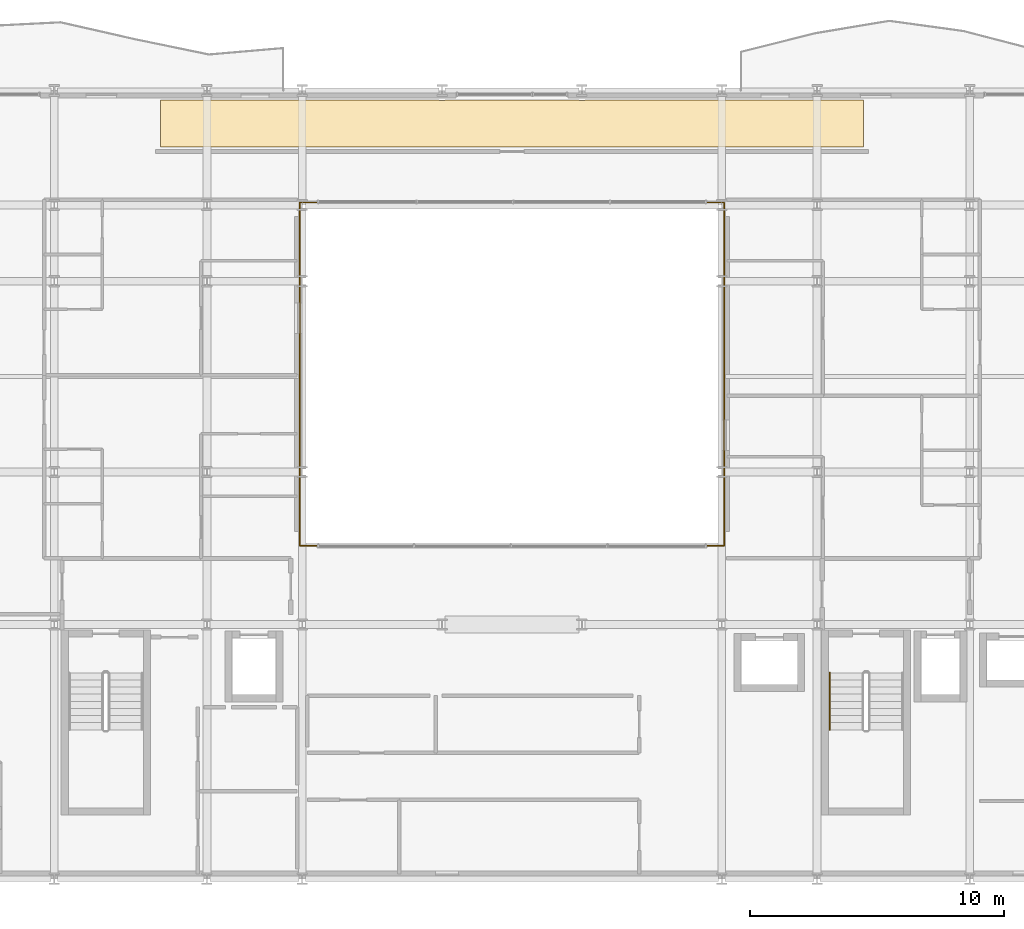
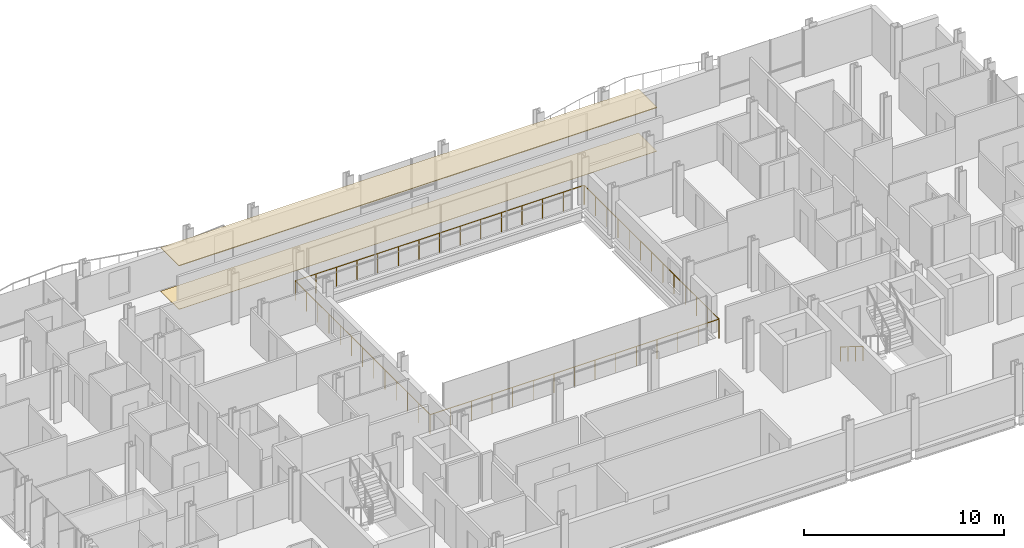
# One storey, part 37 of 39: 3 railings, 2 coverings.
"""IFC4 building model written with IfcOpenShell, lengths in metres."""

from ifc_helpers import new_model, si_unit, direction, frame, origin, origin_2d, place, context, subcontext, project, spatial, polyline, circle, outline, extrude, material, layer, layer_set, type_object, element, save


model = new_model("IFC4")

# Units and contexts
model_context = context("Model", 3, precision=1e-05, world=origin(), true_north=direction((0.0, 1.0)))
body_context = subcontext(model_context, "Body", "Model", "MODEL_VIEW")
ifc_project = project(units=[si_unit("LENGTHUNIT", "METRE"), si_unit("AREAUNIT", "SQUARE_METRE"), si_unit("VOLUMEUNIT", "CUBIC_METRE"), si_unit("PLANEANGLEUNIT", "RADIAN"), si_unit("MASSUNIT", "GRAM", prefix="KILO")], contexts=[model_context])

# Site, building, storey
site_placement = place(None, origin())
site = spatial("IfcSite", under=ifc_project, at=site_placement, CompositionType="ELEMENT")
building_placement = place(site_placement, origin())
building = spatial("IfcBuilding", under=site, at=building_placement, Name="Brevholm Reach", CompositionType="ELEMENT")
storey_placement = place(building_placement, frame((0.0, 0.0, 90.0)))
storey = spatial("IfcBuildingStorey", under=building, at=storey_placement, Name="L26", CompositionType="ELEMENT", Elevation=90.0)

# Coverings
ifc_material_1 = material(Name="Perforated Mineral-Fibre Class-A Acoustic Suspended Ceiling", Category="gypsum")
ifc_layer_1 = layer(ifc_material_1, 0.044921875)
ifc_layer_set_1 = layer_set([ifc_layer_1], Name="Perforated Mineral-Fibre Class-A Acoustic Suspended Ceiling")
covering_type_1 = type_object("IfcCoveringType", Name="COV-CLG-AC", PredefinedType="CEILING", material=ifc_layer_set_1)
covering_1_placement = place(storey_placement, frame((0.0, 0.0, 2.655029296875)))
element("IfcCovering", 1, at=covering_1_placement, inside=storey, type_object=covering_type_1, Name="L26 Suspended Ceiling L26-79", PredefinedType="CEILING", context=body_context, shape_type="SweptSolid", body=[
    extrude(outline(polyline([(16.179931640625, 30.6201171875), (17.876220703125, 30.6201171875), (17.8837890625, 30.6171875), (17.922119140625, 30.607666015625), (17.960693359375, 30.601806640625), (18.0, 30.60009765625), (18.039306640625, 30.601806640625), (18.077880859375, 30.607666015625), (18.1162109375, 30.6171875), (18.123779296875, 30.6201171875), (21.626220703125, 30.6201171875), (21.6337890625, 30.6171875), (21.672119140625, 30.607666015625), (21.710693359375, 30.601806640625), (21.75, 30.60009765625), (21.789306640625, 30.601806640625), (21.827880859375, 30.607666015625), (21.8662109375, 30.6171875), (21.873779296875, 30.6201171875), (27.126220703125, 30.6201171875), (27.1337890625, 30.6171875), (27.172119140625, 30.607666015625), (27.210693359375, 30.601806640625), (27.25, 30.60009765625), (27.289306640625, 30.601806640625), (27.327880859375, 30.607666015625), (27.3662109375, 30.6171875), (27.373779296875, 30.6201171875), (32.626220703125, 30.6201171875), (32.6337890625, 30.6171875), (32.672119140625, 30.607666015625), (32.710693359375, 30.601806640625), (32.75, 30.60009765625), (32.789306640625, 30.601806640625), (32.827880859375, 30.607666015625), (32.8662109375, 30.6171875), (32.873779296875, 30.6201171875), (38.126220703125, 30.6201171875), (38.1337890625, 30.6171875), (38.172119140625, 30.607666015625), (38.210693359375, 30.601806640625), (38.25, 30.60009765625), (38.289306640625, 30.601806640625), (38.327880859375, 30.607666015625), (38.3662109375, 30.6171875), (38.373779296875, 30.6201171875), (41.876220703125, 30.6201171875), (41.8837890625, 30.6171875), (41.922119140625, 30.607666015625), (41.960693359375, 30.601806640625), (42.0, 30.60009765625), (42.039306640625, 30.601806640625), (42.077880859375, 30.607666015625), (42.1162109375, 30.6171875), (42.123779296875, 30.6201171875), (43.820068359375, 30.6201171875), (43.820068359375, 28.783935546875), (16.179931640625, 28.783935546875), (16.179931640625, 30.6201171875)])), origin(), (0.0, 0.0, 1.0), 0.044921875),
])
ifc_material_2 = material(Name="Engineered European Oak Acoustic Plank Flooring", Category="timber")
ifc_layer_2 = layer(ifc_material_2, 0.02197265625)
ifc_layer_set_2 = layer_set([ifc_layer_2], Name="Engineered European Oak Acoustic Plank Flooring")
covering_type_2 = type_object("IfcCoveringType", Name="COV-FLR-OAK", PredefinedType="FLOORING", material=ifc_layer_set_2)
covering_2_placement = place(storey_placement, origin())
element("IfcCovering", 2, at=covering_2_placement, inside=storey, type_object=covering_type_2, Name="L26 Floor Finish L26-79", PredefinedType="FLOORING", context=body_context, shape_type="SweptSolid", body=[
    extrude(outline(polyline([(16.179931640625, 30.6201171875), (17.876220703125, 30.6201171875), (17.8837890625, 30.6171875), (17.922119140625, 30.607666015625), (17.960693359375, 30.601806640625), (18.0, 30.60009765625), (18.039306640625, 30.601806640625), (18.077880859375, 30.607666015625), (18.1162109375, 30.6171875), (18.123779296875, 30.6201171875), (21.626220703125, 30.6201171875), (21.6337890625, 30.6171875), (21.672119140625, 30.607666015625), (21.710693359375, 30.601806640625), (21.75, 30.60009765625), (21.789306640625, 30.601806640625), (21.827880859375, 30.607666015625), (21.8662109375, 30.6171875), (21.873779296875, 30.6201171875), (27.126220703125, 30.6201171875), (27.1337890625, 30.6171875), (27.172119140625, 30.607666015625), (27.210693359375, 30.601806640625), (27.25, 30.60009765625), (27.289306640625, 30.601806640625), (27.327880859375, 30.607666015625), (27.3662109375, 30.6171875), (27.373779296875, 30.6201171875), (32.626220703125, 30.6201171875), (32.6337890625, 30.6171875), (32.672119140625, 30.607666015625), (32.710693359375, 30.601806640625), (32.75, 30.60009765625), (32.789306640625, 30.601806640625), (32.827880859375, 30.607666015625), (32.8662109375, 30.6171875), (32.873779296875, 30.6201171875), (38.126220703125, 30.6201171875), (38.1337890625, 30.6171875), (38.172119140625, 30.607666015625), (38.210693359375, 30.601806640625), (38.25, 30.60009765625), (38.289306640625, 30.601806640625), (38.327880859375, 30.607666015625), (38.3662109375, 30.6171875), (38.373779296875, 30.6201171875), (41.876220703125, 30.6201171875), (41.8837890625, 30.6171875), (41.922119140625, 30.607666015625), (41.960693359375, 30.601806640625), (42.0, 30.60009765625), (42.039306640625, 30.601806640625), (42.077880859375, 30.607666015625), (42.1162109375, 30.6171875), (42.123779296875, 30.6201171875), (43.820068359375, 30.6201171875), (43.820068359375, 28.783935546875), (16.179931640625, 28.783935546875), (16.179931640625, 30.6201171875)])), origin(), (0.0, 0.0, 1.0), 0.02197265625),
])

# Railings
ifc_material_3 = material(Name="Brushed Stainless Steel EN 1.4401 Continuous Handrail", Category="steel")
railing_type_1 = type_object("IfcRailingType", Name="RAL-HND-950", PredefinedType="HANDRAIL", material=ifc_material_3)
railing_1_placement = place(storey_placement, frame((42.5, 8.10009765625, 0.172119140625)))
element("IfcRailing", 3, at=railing_1_placement, inside=storey, type_object=railing_type_1, Name="L26 ST-2 stair handrail 1", PredefinedType="HANDRAIL", context=body_context, shape_type="SweptSolid", body=[
    extrude(circle(Radius=0.02392578125, at=origin_2d()), frame((0.0, 0.0, 0.8857421875), z_axis=(0.0, -0.851747552033, 0.523952390591), x_axis=(1.0, 0.0, 0.0)), (0.0, 0.0, 1.0), 2.6298828125),
    extrude(circle(Radius=0.02099609375, at=origin_2d()), origin(), (0.0, 0.0, 1.0), 0.86181640625),
    extrude(circle(Radius=0.02099609375, at=origin_2d()), frame((0.0, -0.74658203125, 0.459228515625)), (0.0, 0.0, 1.0), 0.86181640625),
    extrude(circle(Radius=0.02099609375, at=origin_2d()), frame((0.0, -1.493408203125, 0.918701171875)), (0.0, 0.0, 1.0), 0.86181640625),
    extrude(circle(Radius=0.02099609375, at=origin_2d()), frame((0.0, -2.239990234375, 1.3779296875)), (0.0, 0.0, 1.0), 0.86181640625),
])
ifc_material_4 = material(Name="Brushed Stainless Steel EN 1.4401 and Laminated Glass", Category="steel")
railing_type_2 = type_object("IfcRailingType", Name="RAL-TERR-1200", PredefinedType="BALUSTRADE", material=ifc_material_4)
railing_2_placement = place(storey_placement, frame((21.64990234375, 13.10009765625, 0.0)))
element("IfcRailing", 4, at=railing_2_placement, inside=storey, type_object=railing_type_2, Name="L26 Guard Balustrade RAL-L26-AT-VOID-SW", PredefinedType="BALUSTRADE", context=body_context, shape_type="SweptSolid", body=[
    extrude(circle(Radius=0.02392578125, at=origin_2d()), frame((0.0, 0.0, 1.17578125), z_axis=(1.0, 0.0, 0.0), x_axis=(0.0, 1.0, 0.0)), (0.0, 0.0, 1.0), 16.7001953125),
    extrude(circle(Radius=0.02392578125, at=origin_2d()), frame((16.7001953125, 0.0, 1.17578125), z_axis=(0.0, 1.0, 0.0), x_axis=(-1.0, 0.0, 0.0)), (0.0, 0.0, 1.0), 13.47998046875),
    extrude(circle(Radius=0.02099609375, at=origin_2d()), origin(), (0.0, 0.0, 1.0), 1.15185546875),
    extrude(circle(Radius=0.02099609375, at=origin_2d()), frame((1.19287109375, 0.0, 0.0)), (0.0, 0.0, 1.0), 1.15185546875),
    extrude(circle(Radius=0.02099609375, at=origin_2d()), frame((2.3857421875, 0.0, 0.0)), (0.0, 0.0, 1.0), 1.15185546875),
    extrude(circle(Radius=0.02099609375, at=origin_2d()), frame((3.57861328125, 0.0, 0.0)), (0.0, 0.0, 1.0), 1.15185546875),
    extrude(circle(Radius=0.02099609375, at=origin_2d()), frame((4.771484375, 0.0, 0.0)), (0.0, 0.0, 1.0), 1.15185546875),
    extrude(circle(Radius=0.02099609375, at=origin_2d()), frame((5.96435546875, 0.0, 0.0)), (0.0, 0.0, 1.0), 1.15185546875),
    extrude(circle(Radius=0.02099609375, at=origin_2d()), frame((7.1572265625, 0.0, 0.0)), (0.0, 0.0, 1.0), 1.15185546875),
    extrude(circle(Radius=0.02099609375, at=origin_2d()), frame((8.35009765625, 0.0, 0.0)), (0.0, 0.0, 1.0), 1.15185546875),
    extrude(circle(Radius=0.02099609375, at=origin_2d()), frame((9.54296875, 0.0, 0.0)), (0.0, 0.0, 1.0), 1.15185546875),
    extrude(circle(Radius=0.02099609375, at=origin_2d()), frame((10.73583984375, 0.0, 0.0)), (0.0, 0.0, 1.0), 1.15185546875),
    extrude(circle(Radius=0.02099609375, at=origin_2d()), frame((11.9287109375, 0.0, 0.0)), (0.0, 0.0, 1.0), 1.15185546875),
    extrude(circle(Radius=0.02099609375, at=origin_2d()), frame((13.12158203125, 0.0, 0.0)), (0.0, 0.0, 1.0), 1.15185546875),
    extrude(circle(Radius=0.02099609375, at=origin_2d()), frame((14.314453125, 0.0, 0.0)), (0.0, 0.0, 1.0), 1.15185546875),
    extrude(circle(Radius=0.02099609375, at=origin_2d()), frame((15.50732421875, 0.0, 0.0)), (0.0, 0.0, 1.0), 1.15185546875),
    extrude(circle(Radius=0.02099609375, at=origin_2d()), frame((16.7001953125, 0.0, 0.0)), (0.0, 0.0, 1.0), 1.15185546875),
    extrude(circle(Radius=0.02099609375, at=origin_2d()), frame((16.7001953125, 1.123291015625, 0.0)), (0.0, 0.0, 1.0), 1.15185546875),
    extrude(circle(Radius=0.02099609375, at=origin_2d()), frame((16.7001953125, 2.24658203125, 0.0)), (0.0, 0.0, 1.0), 1.15185546875),
    extrude(circle(Radius=0.02099609375, at=origin_2d()), frame((16.7001953125, 3.3701171875, 0.0)), (0.0, 0.0, 1.0), 1.15185546875),
    extrude(circle(Radius=0.02099609375, at=origin_2d()), frame((16.7001953125, 4.493408203125, 0.0)), (0.0, 0.0, 1.0), 1.15185546875),
    extrude(circle(Radius=0.02099609375, at=origin_2d()), frame((16.7001953125, 5.61669921875, 0.0)), (0.0, 0.0, 1.0), 1.15185546875),
    extrude(circle(Radius=0.02099609375, at=origin_2d()), frame((16.7001953125, 6.739990234375, 0.0)), (0.0, 0.0, 1.0), 1.15185546875),
    extrude(circle(Radius=0.02099609375, at=origin_2d()), frame((16.7001953125, 7.86328125, 0.0)), (0.0, 0.0, 1.0), 1.15185546875),
    extrude(circle(Radius=0.02099609375, at=origin_2d()), frame((16.7001953125, 8.986572265625, 0.0)), (0.0, 0.0, 1.0), 1.15185546875),
    extrude(circle(Radius=0.02099609375, at=origin_2d()), frame((16.7001953125, 10.10986328125, 0.0)), (0.0, 0.0, 1.0), 1.15185546875),
    extrude(circle(Radius=0.02099609375, at=origin_2d()), frame((16.7001953125, 11.2333984375, 0.0)), (0.0, 0.0, 1.0), 1.15185546875),
    extrude(circle(Radius=0.02099609375, at=origin_2d()), frame((16.7001953125, 12.356689453125, 0.0)), (0.0, 0.0, 1.0), 1.15185546875),
    extrude(circle(Radius=0.02099609375, at=origin_2d()), frame((16.7001953125, 13.47998046875, 0.0)), (0.0, 0.0, 1.0), 1.15185546875),
])
railing_3_placement = place(storey_placement, frame((38.330078125, 26.60009765625, 0.0)))
element("IfcRailing", 5, at=railing_3_placement, inside=storey, type_object=railing_type_2, Name="L26 Guard Balustrade RAL-L26-AT-VOID-NE", PredefinedType="BALUSTRADE", context=body_context, shape_type="SweptSolid", body=[
    extrude(circle(Radius=0.02392578125, at=origin_2d()), frame((0.0, 0.0, 1.17578125), z_axis=(-1.0, 0.0, 0.0), x_axis=(0.0, -1.0, 0.0)), (0.0, 0.0, 1.0), 16.68017578125),
    extrude(circle(Radius=0.02392578125, at=origin_2d()), frame((-16.68017578125, 0.0, 1.17578125), z_axis=(0.0, -1.0, 0.0), x_axis=(1.0, 0.0, 0.0)), (0.0, 0.0, 1.0), 13.47998046875),
    extrude(circle(Radius=0.02099609375, at=origin_2d()), origin(), (0.0, 0.0, 1.0), 1.15185546875),
    extrude(circle(Radius=0.02099609375, at=origin_2d()), frame((-1.19140625, 0.0, 0.0)), (0.0, 0.0, 1.0), 1.15185546875),
    extrude(circle(Radius=0.02099609375, at=origin_2d()), frame((-2.3828125, 0.0, 0.0)), (0.0, 0.0, 1.0), 1.15185546875),
    extrude(circle(Radius=0.02099609375, at=origin_2d()), frame((-3.57421875, 0.0, 0.0)), (0.0, 0.0, 1.0), 1.15185546875),
    extrude(circle(Radius=0.02099609375, at=origin_2d()), frame((-4.765869140625, 0.0, 0.0)), (0.0, 0.0, 1.0), 1.15185546875),
    extrude(circle(Radius=0.02099609375, at=origin_2d()), frame((-5.957275390625, 0.0, 0.0)), (0.0, 0.0, 1.0), 1.15185546875),
    extrude(circle(Radius=0.02099609375, at=origin_2d()), frame((-7.148681640625, 0.0, 0.0)), (0.0, 0.0, 1.0), 1.15185546875),
    extrude(circle(Radius=0.02099609375, at=origin_2d()), frame((-8.340087890625, 0.0, 0.0)), (0.0, 0.0, 1.0), 1.15185546875),
    extrude(circle(Radius=0.02099609375, at=origin_2d()), frame((-9.531494140625, 0.0, 0.0)), (0.0, 0.0, 1.0), 1.15185546875),
    extrude(circle(Radius=0.02099609375, at=origin_2d()), frame((-10.722900390625, 0.0, 0.0)), (0.0, 0.0, 1.0), 1.15185546875),
    extrude(circle(Radius=0.02099609375, at=origin_2d()), frame((-11.914306640625, 0.0, 0.0)), (0.0, 0.0, 1.0), 1.15185546875),
    extrude(circle(Radius=0.02099609375, at=origin_2d()), frame((-13.10595703125, 0.0, 0.0)), (0.0, 0.0, 1.0), 1.15185546875),
    extrude(circle(Radius=0.02099609375, at=origin_2d()), frame((-14.29736328125, 0.0, 0.0)), (0.0, 0.0, 1.0), 1.15185546875),
    extrude(circle(Radius=0.02099609375, at=origin_2d()), frame((-15.48876953125, 0.0, 0.0)), (0.0, 0.0, 1.0), 1.15185546875),
    extrude(circle(Radius=0.02099609375, at=origin_2d()), frame((-16.68017578125, 0.0, 0.0)), (0.0, 0.0, 1.0), 1.15185546875),
    extrude(circle(Radius=0.02099609375, at=origin_2d()), frame((-16.68017578125, -1.123291015625, 0.0)), (0.0, 0.0, 1.0), 1.15185546875),
    extrude(circle(Radius=0.02099609375, at=origin_2d()), frame((-16.68017578125, -2.24658203125, 0.0)), (0.0, 0.0, 1.0), 1.15185546875),
    extrude(circle(Radius=0.02099609375, at=origin_2d()), frame((-16.68017578125, -3.3701171875, 0.0)), (0.0, 0.0, 1.0), 1.15185546875),
    extrude(circle(Radius=0.02099609375, at=origin_2d()), frame((-16.68017578125, -4.493408203125, 0.0)), (0.0, 0.0, 1.0), 1.15185546875),
    extrude(circle(Radius=0.02099609375, at=origin_2d()), frame((-16.68017578125, -5.61669921875, 0.0)), (0.0, 0.0, 1.0), 1.15185546875),
    extrude(circle(Radius=0.02099609375, at=origin_2d()), frame((-16.68017578125, -6.739990234375, 0.0)), (0.0, 0.0, 1.0), 1.15185546875),
    extrude(circle(Radius=0.02099609375, at=origin_2d()), frame((-16.68017578125, -7.86328125, 0.0)), (0.0, 0.0, 1.0), 1.15185546875),
    extrude(circle(Radius=0.02099609375, at=origin_2d()), frame((-16.68017578125, -8.986572265625, 0.0)), (0.0, 0.0, 1.0), 1.15185546875),
    extrude(circle(Radius=0.02099609375, at=origin_2d()), frame((-16.68017578125, -10.10986328125, 0.0)), (0.0, 0.0, 1.0), 1.15185546875),
    extrude(circle(Radius=0.02099609375, at=origin_2d()), frame((-16.68017578125, -11.2333984375, 0.0)), (0.0, 0.0, 1.0), 1.15185546875),
    extrude(circle(Radius=0.02099609375, at=origin_2d()), frame((-16.68017578125, -12.356689453125, 0.0)), (0.0, 0.0, 1.0), 1.15185546875),
    extrude(circle(Radius=0.02099609375, at=origin_2d()), frame((-16.68017578125, -13.47998046875, 0.0)), (0.0, 0.0, 1.0), 1.15185546875),
])

save(model, "model.ifc")
